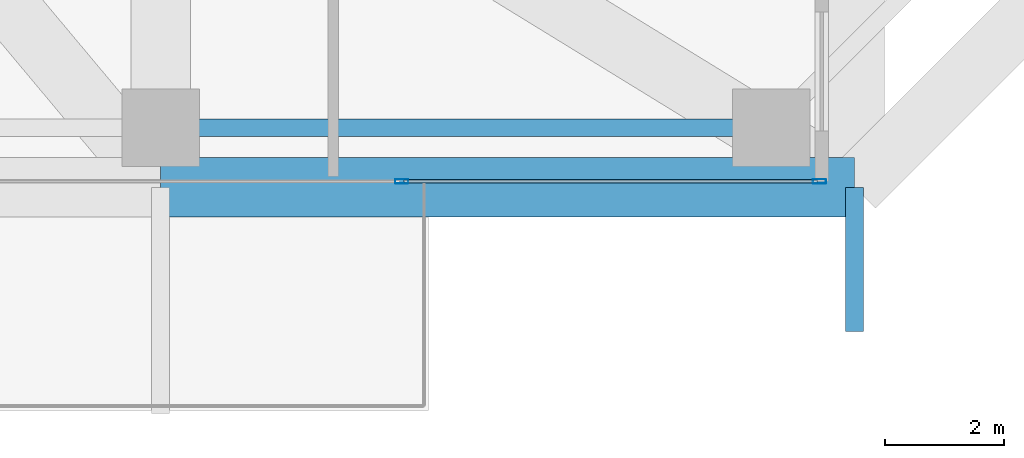
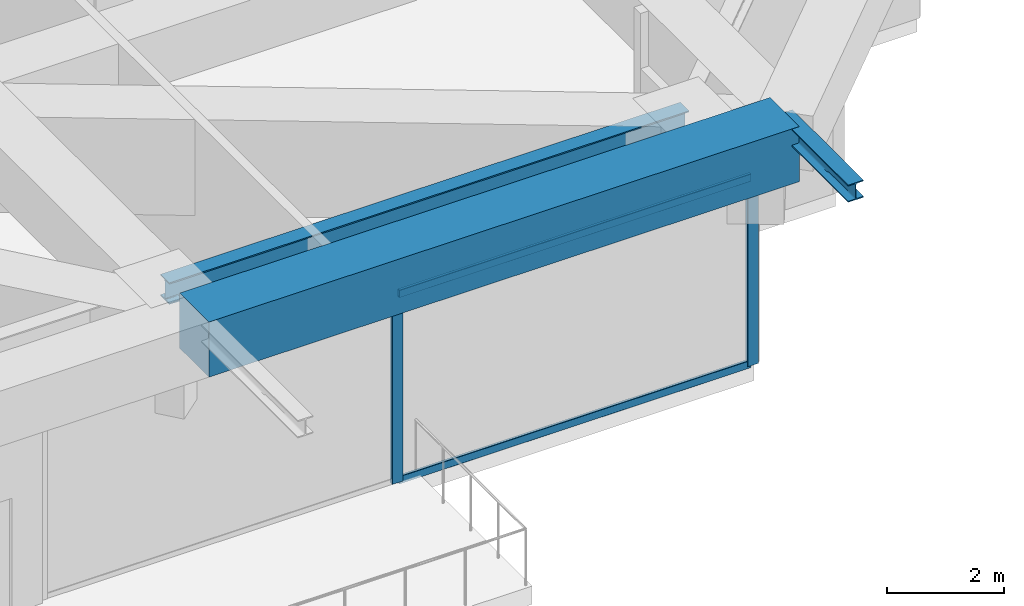
# One storey, part 11 of 38: 4 members, 3 beams, 1 element without a shape of its own.
"""IFC4 building model written with IfcOpenShell, lengths in metres."""

from ifc_helpers import new_model, si_unit, direction, frame, origin, origin_2d, place, context, subcontext, project, spatial, rectangle, hollow_rectangle, i_section, extrude, source, transform, mapped, material, layer, layer_set, material_profile, profile_set, type_object, element, aggregate, save


model = new_model("IFC4")

# Units and contexts
model_context = context("Model", 3, precision=1e-05, world=origin(), true_north=direction((0.0, 1.0)))
body_context = subcontext(model_context, "Body", "Model", "MODEL_VIEW")
ifc_project = project(units=[si_unit("LENGTHUNIT", "METRE"), si_unit("AREAUNIT", "SQUARE_METRE"), si_unit("VOLUMEUNIT", "CUBIC_METRE"), si_unit("PLANEANGLEUNIT", "RADIAN"), si_unit("MASSUNIT", "GRAM", prefix="KILO")], contexts=[model_context])

# Site, building, storey
site_placement = place(None, origin())
site = spatial("IfcSite", under=ifc_project, at=site_placement, CompositionType="ELEMENT")
building_placement = place(site_placement, origin())
building = spatial("IfcBuilding", under=site, at=building_placement, Name="Serunith Strait Residences", CompositionType="ELEMENT")
storey_placement = place(building_placement, frame((0.0, 0.0, 204.89990234375)))
storey = spatial("IfcBuildingStorey", under=building, at=storey_placement, Name="L51", CompositionType="ELEMENT", Elevation=204.89990234375)

# Beams
ifc_material_1 = material(Name="Steel S355J2", Category="steel")
ifc_material_profile_1 = material_profile(ifc_material_1, i_section(OverallWidth=0.300048828125, OverallDepth=0.360107421875, WebThickness=0.012451171875, FlangeThickness=0.0224609375, FilletRadius=0.027099609375, at=origin_2d()), Name="HEB 360")
ifc_profile_set_1 = profile_set([ifc_material_profile_1], Name="Steel S355J2")
beam_type_1 = type_object("IfcBeamType", Name="BM-HEB360", PredefinedType="BEAM", material=ifc_profile_set_1)
shared_shape_1 = source(origin(), body_context, "Body", "SweptSolid", [
    extrude(i_section(OverallWidth=0.300048828125, OverallDepth=0.360107421875, WebThickness=0.012451171875, FlangeThickness=0.0224609375, FilletRadius=0.027099609375, at=origin_2d()), origin(), (0.0, 0.0, 1.0), 2.425537109375),
])
beam_1_placement = place(storey_placement, frame((48.550048828125, 2.10009765625, 4.927001953125), z_axis=(0.0, -1.0, 0.0), x_axis=(1.0, 0.0, 0.0)))
element("IfcBeam", 1, at=beam_1_placement, inside=storey, type_object=beam_type_1, Name="L52 Cantilevered Balcony Rib TC-S4", PredefinedType="BEAM", context=body_context, shape_type="MappedRepresentation", body=[
    mapped(shared_shape_1, transform((0.0, 0.0, 0.0), scale=1.0)),
])
ifc_material_profile_2 = material_profile(ifc_material_1, i_section(OverallWidth=0.300048828125, OverallDepth=0.449951171875, WebThickness=0.013916015625, FlangeThickness=0.02587890625, FilletRadius=0.027099609375, at=origin_2d()), Name="HEB 450")
ifc_profile_set_2 = profile_set([ifc_material_profile_2], Name="Steel S355J2")
beam_type_2 = type_object("IfcBeamType", Name="BM-HEB450", PredefinedType="BEAM", material=ifc_profile_set_2)
shared_shape_2 = source(origin(), body_context, "Body", "SweptSolid", [
    extrude(i_section(OverallWidth=0.300048828125, OverallDepth=0.449951171875, WebThickness=0.013916015625, FlangeThickness=0.02587890625, FilletRadius=0.027099609375, at=origin_2d()), origin(), (0.0, 0.0, 1.0), 10.25),
])
beam_2_placement = place(storey_placement, frame((36.89990234375, 3.10009765625, 4.882080078125), z_axis=(1.0, 0.0, 0.0), x_axis=(0.0, 1.0, 0.0)))
element("IfcBeam", 2, at=beam_2_placement, inside=storey, type_object=beam_type_2, Name="L51 Perimeter Ring Beam 03", PredefinedType="BEAM", context=body_context, shape_type="MappedRepresentation", body=[
    mapped(shared_shape_2, transform((0.0, 0.0, 0.0), scale=1.0)),
])
ifc_material_2 = material(Name="Concrete C80/95", Category="concrete")
ifc_material_profile_3 = material_profile(ifc_material_2, rectangle(XDim=1.0, YDim=1.14990234375, at=origin_2d()), Name="RC 1000x1150")
ifc_profile_set_3 = profile_set([ifc_material_profile_3], Name="Concrete C80/95")
beam_type_3 = type_object("IfcBeamType", Name="BM-XFER-1000x1150", PredefinedType="BEAM", material=ifc_profile_set_3)
shared_shape_3 = source(origin(), body_context, "Body", "SweptSolid", [
    extrude(rectangle(XDim=1.0, YDim=1.14990234375, at=origin_2d()), origin(), (0.0, 0.0, 1.0), 11.650146484375),
])
beam_3_placement = place(storey_placement, frame((36.89990234375, 2.10009765625, 4.53515625), z_axis=(1.0, 0.0, 0.0), x_axis=(0.0, 1.0, 0.0)))
element("IfcBeam", 3, at=beam_3_placement, inside=storey, type_object=beam_type_3, Name="L51 Flare Upper Ring Transfer Girder 03", PredefinedType="BEAM", context=body_context, shape_type="MappedRepresentation", body=[
    mapped(shared_shape_3, transform((0.0, 0.0, 0.0), scale=1.0)),
])

# Curtain wall, members
ifc_material_3 = material(Name="Pale-Silver PVDF Aluminium", Category="aluminium")
ifc_layer = layer(ifc_material_3, 0.199951171875, Name="Pale-Silver PVDF Aluminium")
ifc_layer_set = layer_set([ifc_layer], Name="Pale-Silver PVDF Aluminium")
curtain_wall_type = type_object("IfcCurtainWallType", Name="CW-SYS3", PredefinedType="NOTDEFINED", material=ifc_layer_set)
curtain_wall_placement = place(storey_placement, origin())
curtain_wall = element("IfcCurtainWall", 4, at=curtain_wall_placement, inside=storey, type_object=curtain_wall_type, Name="L51 S Unitised Fritted Curtain Wall", PredefinedType="NOTDEFINED")
ifc_material_profile_4 = material_profile(ifc_material_3, hollow_rectangle(XDim=0.074951171875, YDim=0.219970703125, WallThickness=0.00390625, InnerFilletRadius=0.006103515625, OuterFilletRadius=0.010009765625, at=origin_2d()), Name="ALU 220x75x4")
ifc_profile_set_4 = profile_set([ifc_material_profile_4], Name="Pale-Silver PVDF Aluminium")
member_type_1 = type_object("IfcMemberType", Name="CW-SYS3-MULL", PredefinedType="MULLION", material=ifc_profile_set_4)
shared_shape_4 = source(origin(), body_context, "Body", "SweptSolid", [
    extrude(hollow_rectangle(XDim=0.074951171875, YDim=0.219970703125, WallThickness=0.00390625, InnerFilletRadius=0.006103515625, OuterFilletRadius=0.010009765625, at=origin_2d()), origin(), (0.0, 0.0, 1.0), 3.945068359375),
])
member_1_placement = place(storey_placement, frame((40.949951171875, 2.199951171875, 0.0), z_axis=(0.0, 0.0, 1.0), x_axis=(0.0, 1.0, 0.0)))
member_1 = element("IfcMember", 5, at=member_1_placement, type_object=member_type_1, Name="CW-3 mullion 2", PredefinedType="MULLION", context=body_context, shape_type="MappedRepresentation", body=[
    mapped(shared_shape_4, transform((0.0, 0.0, 0.0), scale=1.0)),
])
member_2_placement = place(storey_placement, frame((47.96240234375, 2.199951171875, 0.0), z_axis=(0.0, 0.0, 1.0), x_axis=(0.0, 1.0, 0.0)))
member_2 = element("IfcMember", 6, at=member_2_placement, type_object=member_type_1, Name="CW-3 mullion 3", PredefinedType="MULLION", context=body_context, shape_type="MappedRepresentation", body=[
    mapped(shared_shape_4, transform((0.0, 0.0, 0.0), scale=1.0)),
])
ifc_material_profile_5 = material_profile(ifc_material_3, hollow_rectangle(XDim=0.06005859375, YDim=0.159912109375, WallThickness=0.00341796875, InnerFilletRadius=0.00537109375, OuterFilletRadius=0.0087890625, at=origin_2d()), Name="ALU 160x60x3.5")
ifc_profile_set_5 = profile_set([ifc_material_profile_5], Name="Pale-Silver PVDF Aluminium")
member_type_2 = type_object("IfcMemberType", Name="CW-SYS3-TRAN", PredefinedType="USERDEFINED", material=ifc_profile_set_5)
shared_shape_5 = source(origin(), body_context, "Body", "SweptSolid", [
    extrude(hollow_rectangle(XDim=0.06005859375, YDim=0.159912109375, WallThickness=0.00341796875, InnerFilletRadius=0.00537109375, OuterFilletRadius=0.0087890625, at=origin_2d()), origin(), (0.0, 0.0, 1.0), 6.9375),
])
member_3_placement = place(storey_placement, frame((40.987548828125, 2.199951171875, 0.030029296875), z_axis=(1.0, 0.0, 0.0), x_axis=(0.0, 1.0, 0.0)))
member_3 = element("IfcMember", 7, at=member_3_placement, type_object=member_type_2, Name="CW-3 transom 2.1", ObjectType="TRANSOM", PredefinedType="USERDEFINED", context=body_context, shape_type="MappedRepresentation", body=[
    mapped(shared_shape_5, transform((0.0, 0.0, 0.0), scale=1.0)),
])
member_4_placement = place(storey_placement, frame((40.987548828125, 2.199951171875, 3.9150390625), z_axis=(1.0, 0.0, 0.0), x_axis=(0.0, 1.0, 0.0)))
member_4 = element("IfcMember", 8, at=member_4_placement, type_object=member_type_2, Name="CW-3 transom 2.2", ObjectType="TRANSOM", PredefinedType="USERDEFINED", context=body_context, shape_type="MappedRepresentation", body=[
    mapped(shared_shape_5, transform((0.0, 0.0, 0.0), scale=1.0)),
])
aggregate(curtain_wall, [member_1, member_2, member_3, member_4])

save(model, "model.ifc")
